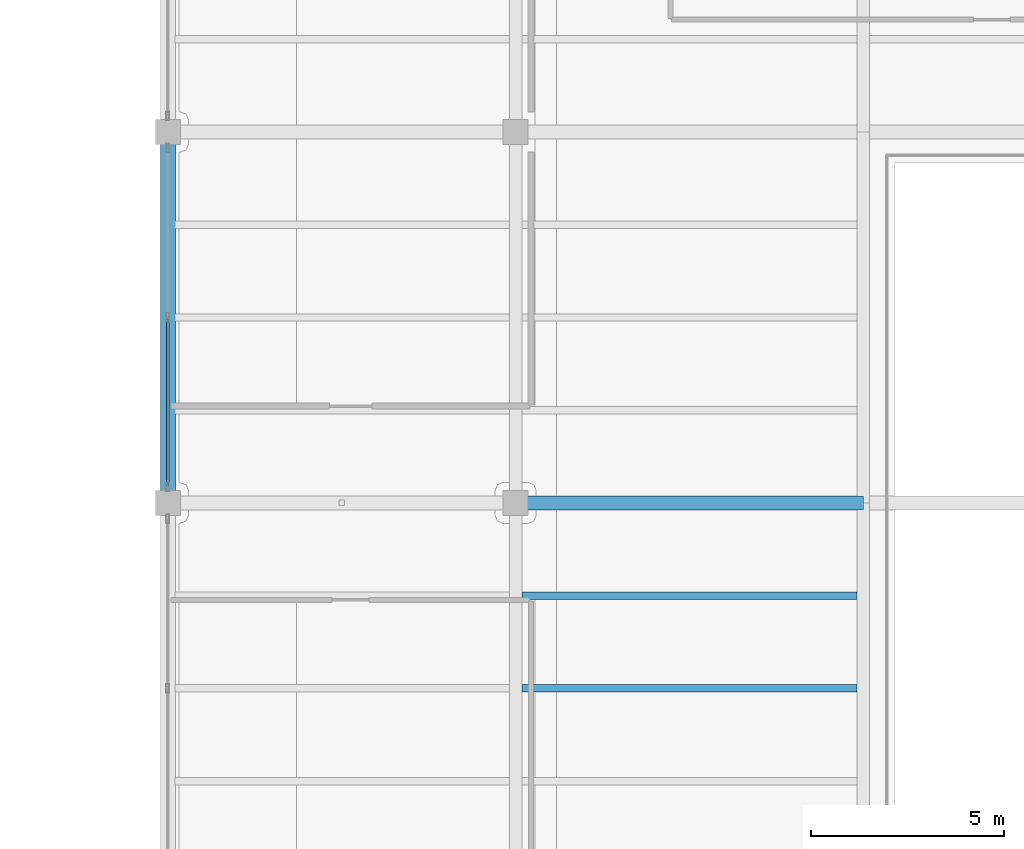
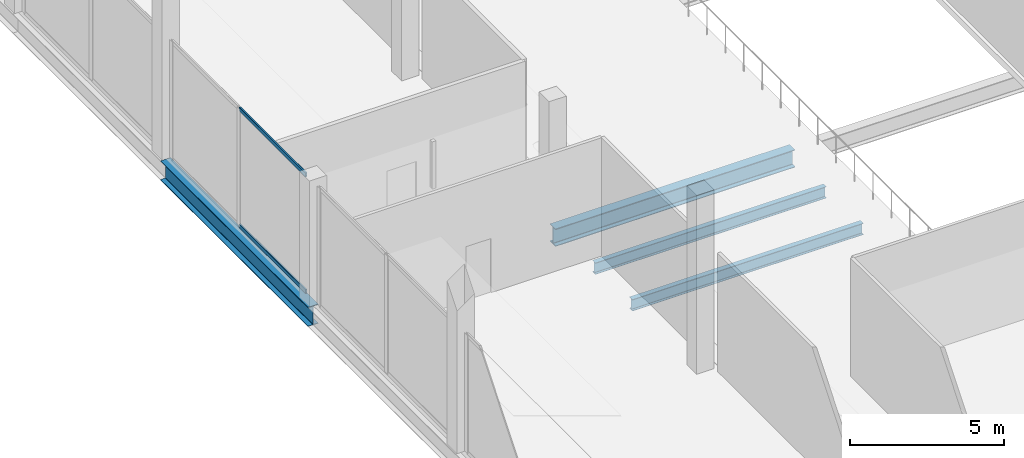
# One storey, part 8 of 43: 4 beams, 2 members, 1 element without a shape of its own.
"""IFC4 building model written with IfcOpenShell, lengths in metres."""

import ifcopenshell
import ifcopenshell.guid

model = None  # the IFC model being written
_history = None  # IfcOwnerHistory: only IFC2X3 demands one
_inside = {}  # id of a spatial element -> (the spatial element, [elements in it])
_under = {}  # id of a project, library or spatial element -> (it, [spatial elements below it])
_declared = {}  # id of a project -> (the project, [libraries it declares])
_typed = {}  # id of a type object -> (the type object, [elements of that type])
_made_of = {}  # id of a material, layer set ... -> (it, [elements and type objects made of it])


def new_model(schema):
    """Start an empty IFC model of exactly this schema.

    Asked for "IFC4X3", IfcOpenShell would pick the latest addendum, in which some entities
    have other attributes; the version numbers below select the first issue.
    IFC2X3 requires an IfcOwnerHistory on every rooted entity: one is made here for all.
    """
    global model, _history
    if schema == "IFC4X3":
        model = ifcopenshell.file(schema_version=(4, 3, 0, 0))
    else:
        model = ifcopenshell.file(schema=schema)
    _inside.clear()
    _under.clear()
    _declared.clear()
    _typed.clear()
    _made_of.clear()
    _history = None
    if model.schema == "IFC2X3":
        org = make("IfcOrganization", Name="unknown")
        user = make(
            "IfcPersonAndOrganization",
            ThePerson=make("IfcPerson", FamilyName="unknown"),
            TheOrganization=org,
        )
        app = make(
            "IfcApplication",
            ApplicationDeveloper=org,
            Version="unknown",
            ApplicationFullName="unknown",
            ApplicationIdentifier="unknown",
        )
        _history = make(
            "IfcOwnerHistory",
            OwningUser=user,
            OwningApplication=app,
            ChangeAction="ADDED",
            CreationDate=0,
        )
    return model


def make(cls, **values):
    """One entity of the class cls with the attributes given. An attribute that is None is left unset."""
    return model.create_entity(
        cls, **{name: value for name, value in values.items() if value is not None}
    )


def rooted(cls, **values):
    """An entity with a GlobalId (a new one), such as an element, a storey or a relation."""
    return make(cls, GlobalId=ifcopenshell.guid.new(), OwnerHistory=_history, **values)


def si_unit(unit_type, name, prefix=None):
    """IfcSIUnit, for example si_unit("LENGTHUNIT", "METRE", prefix="MILLI")."""
    return make("IfcSIUnit", UnitType=unit_type, Prefix=prefix, Name=name)


def assignment(units):
    """IfcUnitAssignment: the units of a project."""
    return None if units is None else make("IfcUnitAssignment", Units=units)


def point(xyz):
    """IfcCartesianPoint."""
    return None if xyz is None else make("IfcCartesianPoint", Coordinates=xyz)


def direction(xyz):
    """IfcDirection."""
    return None if xyz is None else make("IfcDirection", DirectionRatios=xyz)


def frame(location, z_axis=None, x_axis=None):
    """IfcAxis2Placement3D, a coordinate frame: its origin and axes. An axis left out is left unset."""
    return make(
        "IfcAxis2Placement3D",
        Location=point(location),
        Axis=direction(z_axis),
        RefDirection=direction(x_axis),
    )


def frame_2d(location, x_axis=None):
    """IfcAxis2Placement2D, a coordinate frame in the plane: its origin and x axis."""
    return make(
        "IfcAxis2Placement2D", Location=point(location), RefDirection=direction(x_axis)
    )


def origin():
    """The frame at (0, 0, 0) with its axes left unset."""
    return frame((0.0, 0.0, 0.0))


def origin_2d():
    """The frame at (0, 0) in the plane with its x axis left unset."""
    return frame_2d((0.0, 0.0))


def place(relative_to, where):
    """IfcLocalPlacement: puts the frame where relative to a parent placement (None: the world)."""
    return make(
        "IfcLocalPlacement", PlacementRelTo=relative_to, RelativePlacement=where
    )


def context(
    kind, dimensions, precision=None, world=None, true_north=None, identifier=None
):
    """IfcGeometricRepresentationContext, for example the 3D "Model" context."""
    return make(
        "IfcGeometricRepresentationContext",
        ContextIdentifier=identifier,
        ContextType=kind,
        CoordinateSpaceDimension=dimensions,
        Precision=precision,
        WorldCoordinateSystem=world,
        TrueNorth=true_north,
    )


def subcontext(parent, identifier, kind, view, scale=None):
    """IfcGeometricRepresentationSubContext, for example "Body" below "Model"."""
    return make(
        "IfcGeometricRepresentationSubContext",
        ContextIdentifier=identifier,
        ContextType=kind,
        ParentContext=parent,
        TargetScale=scale,
        TargetView=view,
    )


def project(units=None, contexts=None):
    """IfcProject with its units and contexts."""
    return rooted(
        "IfcProject",
        Name="project",
        RepresentationContexts=contexts,
        UnitsInContext=assignment(units),
    )


def spatial(cls, under=None, at=None, **own):
    """A site, building, storey or space (cls), placed at a placement, below another one or the project."""
    s = rooted(cls, ObjectPlacement=at, **own)
    if under is not None:
        _under.setdefault(under.id(), (under, []))[1].append(s)
    return s


def profile(cls, at=None, kind="AREA", **sizes):
    """A parametric profile (cls). Its sizes go by their IFC names, for example OverallWidth=200.0."""
    return make(cls, ProfileType=kind, Position=at, **sizes)


def hollow_rectangle(**sizes):
    """IfcRectangleHollowProfileDef."""
    return profile("IfcRectangleHollowProfileDef", **sizes)


def i_section(**sizes):
    """IfcIShapeProfileDef."""
    return profile("IfcIShapeProfileDef", **sizes)


def extrude(swept, where, along, depth):
    """IfcExtrudedAreaSolid: the profile swept, set in the frame where, extruded along a direction by depth."""
    return make(
        "IfcExtrudedAreaSolid",
        SweptArea=swept,
        Position=where,
        ExtrudedDirection=direction(along),
        Depth=depth,
    )


def shape(context_of_items, identifier, shape_type, items):
    """IfcShapeRepresentation: the items that make up one representation, for example the "Body"."""
    return make(
        "IfcShapeRepresentation",
        ContextOfItems=context_of_items,
        RepresentationIdentifier=identifier,
        RepresentationType=shape_type,
        Items=items,
    )


def material(Name=None, Category=None):
    """IfcMaterial."""
    return make("IfcMaterial", Name=Name, Category=Category)


def layer(
    of_material, thickness, ventilated=None, Name=None, Category=None, Priority=None
):
    """IfcMaterialLayer: one layer of a wall or slab, of a material (None: an air gap)."""
    return make(
        "IfcMaterialLayer",
        Material=of_material,
        LayerThickness=thickness,
        IsVentilated=ventilated,
        Name=Name,
        Category=Category,
        Priority=Priority,
    )


def layer_set(layers, Name=None):
    """IfcMaterialLayerSet."""
    return make("IfcMaterialLayerSet", MaterialLayers=layers, LayerSetName=Name)


def material_profile(
    of_material, cross_section, Name=None, Category=None, Priority=None
):
    """IfcMaterialProfile: a cross section and its material."""
    return make(
        "IfcMaterialProfile",
        Name=Name,
        Material=of_material,
        Profile=cross_section,
        Priority=Priority,
        Category=Category,
    )


def profile_set(profiles, Name=None, composite=None):
    """IfcMaterialProfileSet."""
    return make(
        "IfcMaterialProfileSet",
        Name=Name,
        MaterialProfiles=profiles,
        CompositeProfile=composite,
    )


def made_of(thing, what):
    """Note that an element or type object is made of a material, layer set ...; save() writes the relation."""
    if what is not None:
        _made_of.setdefault(what.id(), (what, []))[1].append(thing)
    return thing


def type_object(cls, material=None, **own):
    """A type object (cls), such as IfcWallType, which elements share."""
    return made_of(rooted(cls, **own), material)


def element(
    cls,
    number,
    at=None,
    inside=None,
    cuts=None,
    type_object=None,
    material=None,
    context=None,
    identifier="Body",
    shape_type=None,
    held_by="IfcProductDefinitionShape",
    body=None,
    shapes=None,
    **own,
):
    """One element of the class cls, such as IfcWall. Its Tag is "e" and its number.

    at: its placement. inside: the storey or other place that contains it. cuts: it is an
    opening in that element (IfcRelVoidsElement). A single representation is given by context,
    identifier, shape_type and body (its items); several are given by shapes. held_by: the class
    of the entity that holds the representations. save() writes the other relations.
    """
    e = rooted(cls, Tag="e%d" % number, ObjectPlacement=at, **own)
    if body is not None:
        shapes = [shape(context, identifier, shape_type, body)]
    if shapes is not None:
        e.Representation = make(held_by, Representations=shapes)
    if inside is not None:
        _inside.setdefault(inside.id(), (inside, []))[1].append(e)
    if cuts is not None:
        rooted(
            "IfcRelVoidsElement", RelatingBuildingElement=cuts, RelatedOpeningElement=e
        )
    if type_object is not None:
        _typed.setdefault(type_object.id(), (type_object, []))[1].append(e)
    return made_of(e, material)


def aggregate(whole, parts):
    """IfcRelAggregates: a whole, such as a stair, and the parts it consists of."""
    return rooted("IfcRelAggregates", RelatingObject=whole, RelatedObjects=parts)


def save(model, path):
    """Write the relations noted so far, then the file.

    IfcRelAggregates (storeys below a building ...), IfcRelContainedInSpatialStructure (elements
    in a storey), IfcRelDefinesByType, IfcRelAssociatesMaterial and IfcRelDeclares: one each for
    every whole, place, type object, material and project.
    """
    for whole, parts in _under.values():
        aggregate(whole, parts)
    for where, things in _inside.values():
        rooted(
            "IfcRelContainedInSpatialStructure",
            RelatedElements=things,
            RelatingStructure=where,
        )
    for kind, things in _typed.values():
        rooted("IfcRelDefinesByType", RelatedObjects=things, RelatingType=kind)
    for what, things in _made_of.values():
        rooted("IfcRelAssociatesMaterial", RelatedObjects=things, RelatingMaterial=what)
    for by, libraries in _declared.values():
        rooted("IfcRelDeclares", RelatingContext=by, RelatedDefinitions=libraries)
    model.write(path)


model = new_model("IFC4")

# Units and contexts
model_context = context("Model", 3, precision=1e-05, world=origin(), true_north=direction((0.0, 1.0)))
body_context = subcontext(model_context, "Body", "Model", "MODEL_VIEW")
ifc_project = project(units=[si_unit("LENGTHUNIT", "METRE"), si_unit("AREAUNIT", "SQUARE_METRE"), si_unit("VOLUMEUNIT", "CUBIC_METRE"), si_unit("PLANEANGLEUNIT", "RADIAN"), si_unit("MASSUNIT", "GRAM", prefix="KILO")], contexts=[model_context])

# Site, building, storey
site_placement = place(None, origin())
site = spatial("IfcSite", under=ifc_project, at=site_placement, CompositionType="ELEMENT")
building_placement = place(site_placement, origin())
building = spatial("IfcBuilding", under=site, at=building_placement, Name="Qorvath Tower", CompositionType="ELEMENT")
storey_placement = place(building_placement, frame((0.0, 0.0, 22.0)))
storey = spatial("IfcBuildingStorey", under=building, at=storey_placement, Name="L04", CompositionType="ELEMENT", Elevation=22.0)

# Beams
ifc_material_1 = material(Name="Steel ASTM A992 Grade 50", Category="steel")
ifc_material_profile_1 = material_profile(ifc_material_1, i_section(OverallWidth=0.381103515625, OverallDepth=0.77294921875, WebThickness=0.0166015625, FlangeThickness=0.027099609375, FilletRadius=0.01904296875, at=origin_2d()), Name="W30x173")
ifc_profile_set_1 = profile_set([ifc_material_profile_1], Name="Steel ASTM A992 Grade 50")
beam_type_1 = type_object("IfcBeamType", Name="BM-FG3", PredefinedType="BEAM", material=ifc_profile_set_1)
beam_1_placement = place(storey_placement, frame((32.39990234375, 0.0, -0.646484375), z_axis=(0.0, 1.0, 0.0), x_axis=(-1.0, 0.0, 0.0)))
element("IfcBeam", 1, at=beam_1_placement, inside=storey, type_object=beam_type_1, Name="Library N-S Girder L04-1-5", PredefinedType="BEAM", context=body_context, shape_type="SweptSolid", body=[
    extrude(i_section(OverallWidth=0.381103515625, OverallDepth=0.77294921875, WebThickness=0.0166015625, FlangeThickness=0.027099609375, FilletRadius=0.01904296875, at=origin_2d()), origin(), (0.0, 0.0, 1.0), 9.60009765625),
])
ifc_material_2 = material(Name="Steel ASTM A992 Grade 50", Category="steel")
ifc_material_profile_2 = material_profile(ifc_material_2, i_section(OverallWidth=0.35595703125, OverallDepth=0.696044921875, WebThickness=0.015380859375, FlangeThickness=0.02490234375, FilletRadius=0.01806640625, at=origin_2d()), Name="W27x146")
ifc_profile_set_2 = profile_set([ifc_material_profile_2], Name="Steel ASTM A992 Grade 50")
beam_type_2 = type_object("IfcBeamType", Name="BM-FG4", PredefinedType="BEAM", material=ifc_profile_set_2)
beam_2_placement = place(storey_placement, frame((41.39990234375, 0.0, -0.60791015625), z_axis=(1.0, 0.0, 0.0), x_axis=(0.0, 1.0, 0.0)))
element("IfcBeam", 2, at=beam_2_placement, inside=storey, type_object=beam_type_2, Name="Library E-W Girder L04-5-2", PredefinedType="BEAM", context=body_context, shape_type="SweptSolid", body=[
    extrude(i_section(OverallWidth=0.35595703125, OverallDepth=0.696044921875, WebThickness=0.015380859375, FlangeThickness=0.02490234375, FilletRadius=0.01806640625, at=origin_2d()), origin(), (0.0, 0.0, 1.0), 9.0),
])
ifc_material_3 = material(Name="Steel ASTM A992 Grade 50", Category="steel")
ifc_material_profile_3 = material_profile(ifc_material_3, i_section(OverallWidth=0.18994140625, OverallDepth=0.45703125, WebThickness=0.009033203125, FlangeThickness=0.014404296875, FilletRadius=0.011962890625, at=origin_2d()), Name="W18x50")
ifc_profile_set_3 = profile_set([ifc_material_profile_3], Name="Steel ASTM A992 Grade 50")
beam_type_3 = type_object("IfcBeamType", Name="BM-FJ2", PredefinedType="JOIST", material=ifc_profile_set_3)
for number, where, z_axis, x_axis, name in (
    (3, (41.560546875, -4.800048828125, -0.488525390625), (1.0, 0.0, 0.0), (0.0, 1.0, 0.0), "Library Stack Joist L04-4.2-2"),
    (4, (41.560546875, -2.39990234375, -0.488525390625), (1.0, 0.0, 0.0), (0.0, 1.0, 0.0), "Library Stack Joist L04-4.3-2"),
):
    element("IfcBeam", number, at=place(storey_placement, frame(where, z_axis=z_axis, x_axis=x_axis)), inside=storey, type_object=beam_type_3, Name=name, PredefinedType="JOIST", context=body_context, shape_type="SweptSolid", body=[
        extrude(i_section(OverallWidth=0.18994140625, OverallDepth=0.45703125, WebThickness=0.009033203125, FlangeThickness=0.014404296875, FilletRadius=0.011962890625, at=origin_2d()), origin(), (0.0, 0.0, 1.0), 8.678955078125),
    ])

# Curtain wall, members
ifc_material_4 = material(Name="Anodised aluminium and triple low-E glass", Category="aluminium")
ifc_layer = layer(ifc_material_4, 0.179931640625)
ifc_layer_set = layer_set([ifc_layer], Name="CW-SYS-6")
curtain_wall_type = type_object("IfcCurtainWallType", Name="CW-SYS-6", PredefinedType="NOTDEFINED", material=ifc_layer_set)
curtain_wall_placement = place(storey_placement, origin())
curtain_wall = element("IfcCurtainWall", 5, at=curtain_wall_placement, inside=storey, type_object=curtain_wall_type, Name="Curtain Wall CW-6 CW-LIB-W-L04-5", PredefinedType="NOTDEFINED")
ifc_material_5 = material(Name="Anodised aluminium 6063-T6", Category="aluminium")
ifc_material_profile_4 = material_profile(ifc_material_5, hollow_rectangle(XDim=0.06494140625, YDim=0.159912109375, WallThickness=0.00341796875, InnerFilletRadius=0.00341796875, OuterFilletRadius=0.007080078125, at=origin_2d()), Name="CWT 160x65")
ifc_profile_set_4 = profile_set([ifc_material_profile_4], Name="Anodised aluminium 6063-T6")
member_type = type_object("IfcMemberType", Name="CWT-160", PredefinedType="USERDEFINED", material=ifc_profile_set_4)
member_1_placement = place(storey_placement, frame((32.39990234375, 0.4501953125, 0.032470703125), z_axis=(0.0, 1.0, 0.0), x_axis=(-1.0, 0.0, 0.0)))
member_1 = element("IfcMember", 6, at=member_1_placement, type_object=member_type, Name="CW-6 transom 1.1", ObjectType="TRANSOM", PredefinedType="USERDEFINED", context=body_context, shape_type="SweptSolid", body=[
    extrude(hollow_rectangle(XDim=0.06494140625, YDim=0.159912109375, WallThickness=0.00341796875, InnerFilletRadius=0.00341796875, OuterFilletRadius=0.007080078125, at=origin_2d()), origin(), (0.0, 0.0, 1.0), 4.309814453125),
])
member_2_placement = place(storey_placement, frame((32.39990234375, 0.4501953125, 4.66748046875), z_axis=(0.0, 1.0, 0.0), x_axis=(-1.0, 0.0, 0.0)))
member_2 = element("IfcMember", 7, at=member_2_placement, type_object=member_type, Name="CW-6 transom 1.2", ObjectType="TRANSOM", PredefinedType="USERDEFINED", context=body_context, shape_type="SweptSolid", body=[
    extrude(hollow_rectangle(XDim=0.06494140625, YDim=0.159912109375, WallThickness=0.00341796875, InnerFilletRadius=0.00341796875, OuterFilletRadius=0.007080078125, at=origin_2d()), origin(), (0.0, 0.0, 1.0), 4.309814453125),
])
aggregate(curtain_wall, [member_1, member_2])

save(model, "model.ifc")
